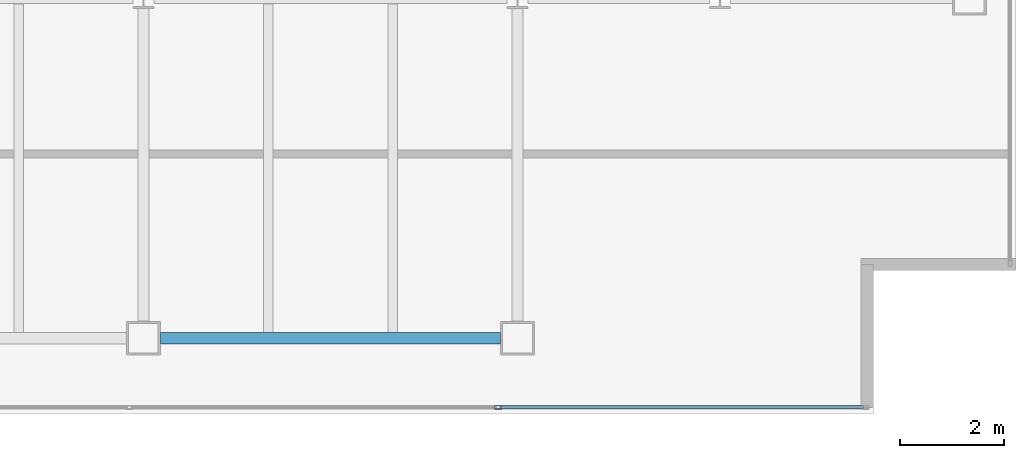
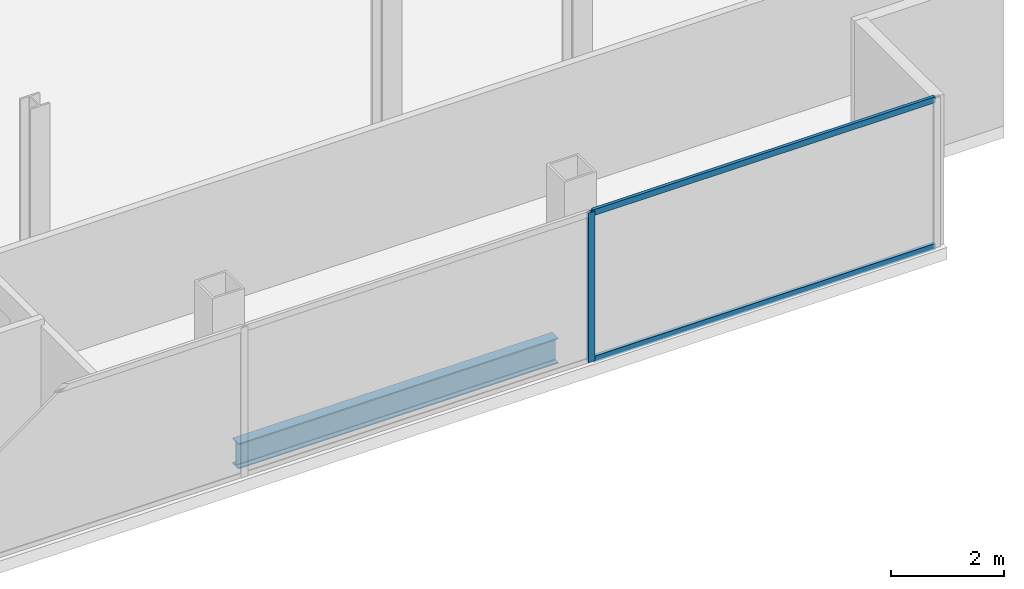
# One storey, part 12 of 24: 3 members, 1 beam, 1 element without a shape of its own.
"""IFC4 building model written with IfcOpenShell, lengths in metres."""

import ifcopenshell
import ifcopenshell.guid

model = None  # the IFC model being written
_history = None  # IfcOwnerHistory: only IFC2X3 demands one
_inside = {}  # id of a spatial element -> (the spatial element, [elements in it])
_under = {}  # id of a project, library or spatial element -> (it, [spatial elements below it])
_declared = {}  # id of a project -> (the project, [libraries it declares])
_typed = {}  # id of a type object -> (the type object, [elements of that type])
_made_of = {}  # id of a material, layer set ... -> (it, [elements and type objects made of it])


def new_model(schema):
    """Start an empty IFC model of exactly this schema.

    Asked for "IFC4X3", IfcOpenShell would pick the latest addendum, in which some entities
    have other attributes; the version numbers below select the first issue.
    IFC2X3 requires an IfcOwnerHistory on every rooted entity: one is made here for all.
    """
    global model, _history
    if schema == "IFC4X3":
        model = ifcopenshell.file(schema_version=(4, 3, 0, 0))
    else:
        model = ifcopenshell.file(schema=schema)
    _inside.clear()
    _under.clear()
    _declared.clear()
    _typed.clear()
    _made_of.clear()
    _history = None
    if model.schema == "IFC2X3":
        org = make("IfcOrganization", Name="unknown")
        user = make(
            "IfcPersonAndOrganization",
            ThePerson=make("IfcPerson", FamilyName="unknown"),
            TheOrganization=org,
        )
        app = make(
            "IfcApplication",
            ApplicationDeveloper=org,
            Version="unknown",
            ApplicationFullName="unknown",
            ApplicationIdentifier="unknown",
        )
        _history = make(
            "IfcOwnerHistory",
            OwningUser=user,
            OwningApplication=app,
            ChangeAction="ADDED",
            CreationDate=0,
        )
    return model


def make(cls, **values):
    """One entity of the class cls with the attributes given. An attribute that is None is left unset."""
    return model.create_entity(
        cls, **{name: value for name, value in values.items() if value is not None}
    )


def rooted(cls, **values):
    """An entity with a GlobalId (a new one), such as an element, a storey or a relation."""
    return make(cls, GlobalId=ifcopenshell.guid.new(), OwnerHistory=_history, **values)


def si_unit(unit_type, name, prefix=None):
    """IfcSIUnit, for example si_unit("LENGTHUNIT", "METRE", prefix="MILLI")."""
    return make("IfcSIUnit", UnitType=unit_type, Prefix=prefix, Name=name)


def assignment(units):
    """IfcUnitAssignment: the units of a project."""
    return None if units is None else make("IfcUnitAssignment", Units=units)


def point(xyz):
    """IfcCartesianPoint."""
    return None if xyz is None else make("IfcCartesianPoint", Coordinates=xyz)


def direction(xyz):
    """IfcDirection."""
    return None if xyz is None else make("IfcDirection", DirectionRatios=xyz)


def frame(location, z_axis=None, x_axis=None):
    """IfcAxis2Placement3D, a coordinate frame: its origin and axes. An axis left out is left unset."""
    return make(
        "IfcAxis2Placement3D",
        Location=point(location),
        Axis=direction(z_axis),
        RefDirection=direction(x_axis),
    )


def frame_2d(location, x_axis=None):
    """IfcAxis2Placement2D, a coordinate frame in the plane: its origin and x axis."""
    return make(
        "IfcAxis2Placement2D", Location=point(location), RefDirection=direction(x_axis)
    )


def origin():
    """The frame at (0, 0, 0) with its axes left unset."""
    return frame((0.0, 0.0, 0.0))


def origin_2d():
    """The frame at (0, 0) in the plane with its x axis left unset."""
    return frame_2d((0.0, 0.0))


def place(relative_to, where):
    """IfcLocalPlacement: puts the frame where relative to a parent placement (None: the world)."""
    return make(
        "IfcLocalPlacement", PlacementRelTo=relative_to, RelativePlacement=where
    )


def context(
    kind, dimensions, precision=None, world=None, true_north=None, identifier=None
):
    """IfcGeometricRepresentationContext, for example the 3D "Model" context."""
    return make(
        "IfcGeometricRepresentationContext",
        ContextIdentifier=identifier,
        ContextType=kind,
        CoordinateSpaceDimension=dimensions,
        Precision=precision,
        WorldCoordinateSystem=world,
        TrueNorth=true_north,
    )


def subcontext(parent, identifier, kind, view, scale=None):
    """IfcGeometricRepresentationSubContext, for example "Body" below "Model"."""
    return make(
        "IfcGeometricRepresentationSubContext",
        ContextIdentifier=identifier,
        ContextType=kind,
        ParentContext=parent,
        TargetScale=scale,
        TargetView=view,
    )


def project(units=None, contexts=None):
    """IfcProject with its units and contexts."""
    return rooted(
        "IfcProject",
        Name="project",
        RepresentationContexts=contexts,
        UnitsInContext=assignment(units),
    )


def spatial(cls, under=None, at=None, **own):
    """A site, building, storey or space (cls), placed at a placement, below another one or the project."""
    s = rooted(cls, ObjectPlacement=at, **own)
    if under is not None:
        _under.setdefault(under.id(), (under, []))[1].append(s)
    return s


def profile(cls, at=None, kind="AREA", **sizes):
    """A parametric profile (cls). Its sizes go by their IFC names, for example OverallWidth=200.0."""
    return make(cls, ProfileType=kind, Position=at, **sizes)


def hollow_rectangle(**sizes):
    """IfcRectangleHollowProfileDef."""
    return profile("IfcRectangleHollowProfileDef", **sizes)


def i_section(**sizes):
    """IfcIShapeProfileDef."""
    return profile("IfcIShapeProfileDef", **sizes)


def extrude(swept, where, along, depth):
    """IfcExtrudedAreaSolid: the profile swept, set in the frame where, extruded along a direction by depth."""
    return make(
        "IfcExtrudedAreaSolid",
        SweptArea=swept,
        Position=where,
        ExtrudedDirection=direction(along),
        Depth=depth,
    )


def shape(context_of_items, identifier, shape_type, items):
    """IfcShapeRepresentation: the items that make up one representation, for example the "Body"."""
    return make(
        "IfcShapeRepresentation",
        ContextOfItems=context_of_items,
        RepresentationIdentifier=identifier,
        RepresentationType=shape_type,
        Items=items,
    )


def material(Name=None, Category=None):
    """IfcMaterial."""
    return make("IfcMaterial", Name=Name, Category=Category)


def material_profile(
    of_material, cross_section, Name=None, Category=None, Priority=None
):
    """IfcMaterialProfile: a cross section and its material."""
    return make(
        "IfcMaterialProfile",
        Name=Name,
        Material=of_material,
        Profile=cross_section,
        Priority=Priority,
        Category=Category,
    )


def profile_set(profiles, Name=None, composite=None):
    """IfcMaterialProfileSet."""
    return make(
        "IfcMaterialProfileSet",
        Name=Name,
        MaterialProfiles=profiles,
        CompositeProfile=composite,
    )


def made_of(thing, what):
    """Note that an element or type object is made of a material, layer set ...; save() writes the relation."""
    if what is not None:
        _made_of.setdefault(what.id(), (what, []))[1].append(thing)
    return thing


def type_object(cls, material=None, **own):
    """A type object (cls), such as IfcWallType, which elements share."""
    return made_of(rooted(cls, **own), material)


def element(
    cls,
    number,
    at=None,
    inside=None,
    cuts=None,
    type_object=None,
    material=None,
    context=None,
    identifier="Body",
    shape_type=None,
    held_by="IfcProductDefinitionShape",
    body=None,
    shapes=None,
    **own,
):
    """One element of the class cls, such as IfcWall. Its Tag is "e" and its number.

    at: its placement. inside: the storey or other place that contains it. cuts: it is an
    opening in that element (IfcRelVoidsElement). A single representation is given by context,
    identifier, shape_type and body (its items); several are given by shapes. held_by: the class
    of the entity that holds the representations. save() writes the other relations.
    """
    e = rooted(cls, Tag="e%d" % number, ObjectPlacement=at, **own)
    if body is not None:
        shapes = [shape(context, identifier, shape_type, body)]
    if shapes is not None:
        e.Representation = make(held_by, Representations=shapes)
    if inside is not None:
        _inside.setdefault(inside.id(), (inside, []))[1].append(e)
    if cuts is not None:
        rooted(
            "IfcRelVoidsElement", RelatingBuildingElement=cuts, RelatedOpeningElement=e
        )
    if type_object is not None:
        _typed.setdefault(type_object.id(), (type_object, []))[1].append(e)
    return made_of(e, material)


def aggregate(whole, parts):
    """IfcRelAggregates: a whole, such as a stair, and the parts it consists of."""
    return rooted("IfcRelAggregates", RelatingObject=whole, RelatedObjects=parts)


def save(model, path):
    """Write the relations noted so far, then the file.

    IfcRelAggregates (storeys below a building ...), IfcRelContainedInSpatialStructure (elements
    in a storey), IfcRelDefinesByType, IfcRelAssociatesMaterial and IfcRelDeclares: one each for
    every whole, place, type object, material and project.
    """
    for whole, parts in _under.values():
        aggregate(whole, parts)
    for where, things in _inside.values():
        rooted(
            "IfcRelContainedInSpatialStructure",
            RelatedElements=things,
            RelatingStructure=where,
        )
    for kind, things in _typed.values():
        rooted("IfcRelDefinesByType", RelatedObjects=things, RelatingType=kind)
    for what, things in _made_of.values():
        rooted("IfcRelAssociatesMaterial", RelatedObjects=things, RelatingMaterial=what)
    for by, libraries in _declared.values():
        rooted("IfcRelDeclares", RelatingContext=by, RelatedDefinitions=libraries)
    model.write(path)


model = new_model("IFC4")

# Units and contexts
model_context = context("Model", 3, precision=1e-05, world=origin(), true_north=direction((0.0, 1.0)))
body_context = subcontext(model_context, "Body", "Model", "MODEL_VIEW")
ifc_project = project(units=[si_unit("LENGTHUNIT", "METRE"), si_unit("AREAUNIT", "SQUARE_METRE"), si_unit("VOLUMEUNIT", "CUBIC_METRE"), si_unit("PLANEANGLEUNIT", "RADIAN"), si_unit("MASSUNIT", "GRAM", prefix="KILO")], contexts=[model_context])

# Site, building, storey
site_placement = place(None, origin())
site = spatial("IfcSite", under=ifc_project, at=site_placement, CompositionType="ELEMENT")
building_placement = place(site_placement, origin())
building = spatial("IfcBuilding", under=site, at=building_placement, Name="Cobrela Telecom Tower", CompositionType="ELEMENT")
storey_placement = place(building_placement, frame((0.0, 0.0, 248.14990234375)))
storey = spatial("IfcBuildingStorey", under=building, at=storey_placement, Name="L64", CompositionType="ELEMENT", Elevation=248.14990234375)

# Beam
ifc_material_1 = material(Name="Steel ASTM A992 Grade 50", Category="steel")
ifc_material_profile_1 = material_profile(ifc_material_1, i_section(OverallWidth=0.212890625, OverallDepth=0.549072265625, WebThickness=0.0146484375, FlangeThickness=0.023681640625, FilletRadius=0.013916015625, at=origin_2d()), Name="W21X93")
ifc_profile_set_1 = profile_set([ifc_material_profile_1], Name="Steel ASTM A992 Grade 50")
beam_type = type_object("IfcBeamType", Name="BM-GIRD-08", PredefinedType="USERDEFINED", material=ifc_profile_set_1)
beam_placement = place(storey_placement, frame((29.1298828125, 7.85009765625, -0.534423828125), z_axis=(1.0, 0.0, 0.0), x_axis=(0.0, 1.0, 0.0)))
element("IfcBeam", 1, at=beam_placement, inside=storey, type_object=beam_type, Name="L64 Primary Girder X04", ObjectType="GIRDER", PredefinedType="USERDEFINED", context=body_context, shape_type="SweptSolid", body=[
    extrude(i_section(OverallWidth=0.212890625, OverallDepth=0.549072265625, WebThickness=0.0146484375, FlangeThickness=0.023681640625, FilletRadius=0.013916015625, at=origin_2d()), origin(), (0.0, 0.0, 1.0), 6.5400390625),
])

# Curtain wall, members
ifc_material_2 = material(Name="Anodized Bronze Aluminium 6063-T6", Category="aluminium")
curtain_wall_type = type_object("IfcCurtainWallType", Name="CW-SYS-OFF-HI", PredefinedType="USERDEFINED", material=ifc_material_2)
curtain_wall_placement = place(storey_placement, origin())
curtain_wall = element("IfcCurtainWall", 2, at=curtain_wall_placement, inside=storey, type_object=curtain_wall_type, Name="L64 Unitised Bronze Curtain Wall 15", ObjectType="UNITISED CURTAIN WALL", PredefinedType="USERDEFINED")
ifc_material_profile_2 = material_profile(ifc_material_2, hollow_rectangle(XDim=0.070068359375, YDim=0.139892578125, WallThickness=0.00390625, at=origin_2d()), Name="ALU 70x140x4")
ifc_profile_set_2 = profile_set([ifc_material_profile_2], Name="Anodized Bronze Aluminium 6063-T6")
member_type_1 = type_object("IfcMemberType", Name="CW-SYS-OFF-HI-MUL", PredefinedType="MULLION", material=ifc_profile_set_2)
member_1_placement = place(storey_placement, frame((35.62841796875, 6.52001953125, 0.0), z_axis=(0.0, 0.0, 1.0), x_axis=(0.0, -1.0, 0.0)))
member_1 = element("IfcMember", 3, at=member_1_placement, type_object=member_type_1, Name="CW-OFF-HI mullion 2", PredefinedType="MULLION", context=body_context, shape_type="SweptSolid", body=[
    extrude(hollow_rectangle(XDim=0.070068359375, YDim=0.139892578125, WallThickness=0.00390625, at=origin_2d()), origin(), (0.0, 0.0, 1.0), 3.239990234375),
])
ifc_material_profile_3 = material_profile(ifc_material_2, hollow_rectangle(XDim=0.06494140625, YDim=0.1298828125, WallThickness=0.00390625, at=origin_2d()), Name="ALU 65x130x4")
ifc_profile_set_3 = profile_set([ifc_material_profile_3], Name="Anodized Bronze Aluminium 6063-T6")
member_type_2 = type_object("IfcMemberType", Name="CW-SYS-OFF-HI-TRN", PredefinedType="USERDEFINED", material=ifc_profile_set_3)
member_2_placement = place(storey_placement, frame((42.659912109375, 6.52001953125, 0.03271484375), z_axis=(-1.0, 0.0, 0.0), x_axis=(0.0, -1.0, 0.0)))
member_2 = element("IfcMember", 4, at=member_2_placement, type_object=member_type_2, Name="CW-OFF-HI transom 1.1", ObjectType="TRANSOM", PredefinedType="USERDEFINED", context=body_context, shape_type="SweptSolid", body=[
    extrude(hollow_rectangle(XDim=0.06494140625, YDim=0.1298828125, WallThickness=0.00390625, at=origin_2d()), origin(), (0.0, 0.0, 1.0), 6.99658203125),
])
member_3_placement = place(storey_placement, frame((42.659912109375, 6.52001953125, 3.20751953125), z_axis=(-1.0, 0.0, 0.0), x_axis=(0.0, -1.0, 0.0)))
member_3 = element("IfcMember", 5, at=member_3_placement, type_object=member_type_2, Name="CW-OFF-HI transom 1.2", ObjectType="TRANSOM", PredefinedType="USERDEFINED", context=body_context, shape_type="SweptSolid", body=[
    extrude(hollow_rectangle(XDim=0.06494140625, YDim=0.1298828125, WallThickness=0.00390625, at=origin_2d()), origin(), (0.0, 0.0, 1.0), 6.99658203125),
])
aggregate(curtain_wall, [member_1, member_2, member_3])

save(model, "model.ifc")
